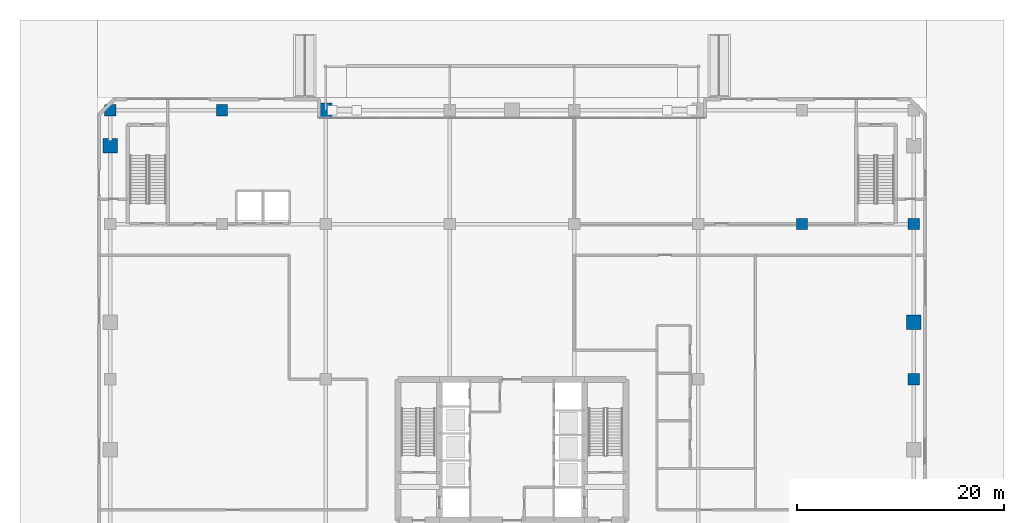
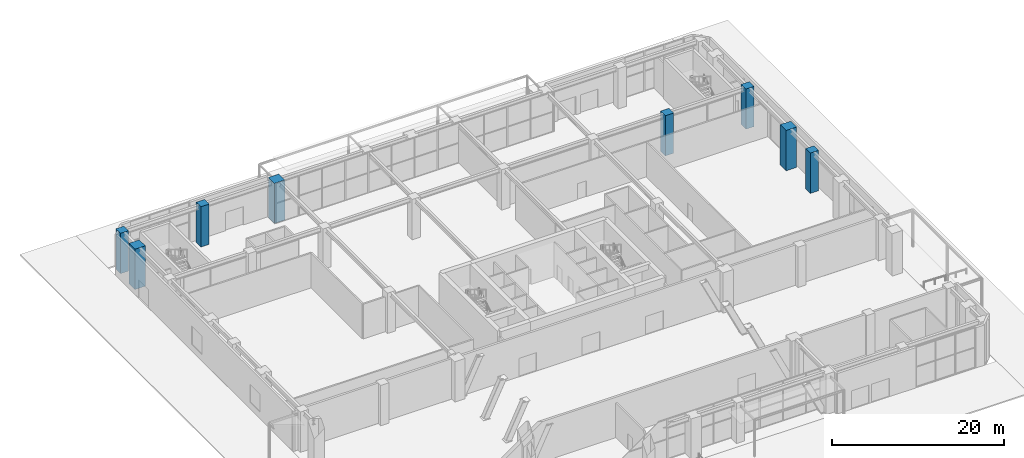
# One storey, part 7 of 49: 8 columns.
"""IFC4 building model written with IfcOpenShell, lengths in metres."""

import ifcopenshell
import ifcopenshell.guid

model = None  # the IFC model being written
_history = None  # IfcOwnerHistory: only IFC2X3 demands one
_inside = {}  # id of a spatial element -> (the spatial element, [elements in it])
_under = {}  # id of a project, library or spatial element -> (it, [spatial elements below it])
_declared = {}  # id of a project -> (the project, [libraries it declares])
_typed = {}  # id of a type object -> (the type object, [elements of that type])
_made_of = {}  # id of a material, layer set ... -> (it, [elements and type objects made of it])


def new_model(schema):
    """Start an empty IFC model of exactly this schema.

    Asked for "IFC4X3", IfcOpenShell would pick the latest addendum, in which some entities
    have other attributes; the version numbers below select the first issue.
    IFC2X3 requires an IfcOwnerHistory on every rooted entity: one is made here for all.
    """
    global model, _history
    if schema == "IFC4X3":
        model = ifcopenshell.file(schema_version=(4, 3, 0, 0))
    else:
        model = ifcopenshell.file(schema=schema)
    _inside.clear()
    _under.clear()
    _declared.clear()
    _typed.clear()
    _made_of.clear()
    _history = None
    if model.schema == "IFC2X3":
        org = make("IfcOrganization", Name="unknown")
        user = make(
            "IfcPersonAndOrganization",
            ThePerson=make("IfcPerson", FamilyName="unknown"),
            TheOrganization=org,
        )
        app = make(
            "IfcApplication",
            ApplicationDeveloper=org,
            Version="unknown",
            ApplicationFullName="unknown",
            ApplicationIdentifier="unknown",
        )
        _history = make(
            "IfcOwnerHistory",
            OwningUser=user,
            OwningApplication=app,
            ChangeAction="ADDED",
            CreationDate=0,
        )
    return model


def make(cls, **values):
    """One entity of the class cls with the attributes given. An attribute that is None is left unset."""
    return model.create_entity(
        cls, **{name: value for name, value in values.items() if value is not None}
    )


def rooted(cls, **values):
    """An entity with a GlobalId (a new one), such as an element, a storey or a relation."""
    return make(cls, GlobalId=ifcopenshell.guid.new(), OwnerHistory=_history, **values)


def si_unit(unit_type, name, prefix=None):
    """IfcSIUnit, for example si_unit("LENGTHUNIT", "METRE", prefix="MILLI")."""
    return make("IfcSIUnit", UnitType=unit_type, Prefix=prefix, Name=name)


def assignment(units):
    """IfcUnitAssignment: the units of a project."""
    return None if units is None else make("IfcUnitAssignment", Units=units)


def point(xyz):
    """IfcCartesianPoint."""
    return None if xyz is None else make("IfcCartesianPoint", Coordinates=xyz)


def direction(xyz):
    """IfcDirection."""
    return None if xyz is None else make("IfcDirection", DirectionRatios=xyz)


def frame(location, z_axis=None, x_axis=None):
    """IfcAxis2Placement3D, a coordinate frame: its origin and axes. An axis left out is left unset."""
    return make(
        "IfcAxis2Placement3D",
        Location=point(location),
        Axis=direction(z_axis),
        RefDirection=direction(x_axis),
    )


def frame_2d(location, x_axis=None):
    """IfcAxis2Placement2D, a coordinate frame in the plane: its origin and x axis."""
    return make(
        "IfcAxis2Placement2D", Location=point(location), RefDirection=direction(x_axis)
    )


def origin():
    """The frame at (0, 0, 0) with its axes left unset."""
    return frame((0.0, 0.0, 0.0))


def origin_2d():
    """The frame at (0, 0) in the plane with its x axis left unset."""
    return frame_2d((0.0, 0.0))


def place(relative_to, where):
    """IfcLocalPlacement: puts the frame where relative to a parent placement (None: the world)."""
    return make(
        "IfcLocalPlacement", PlacementRelTo=relative_to, RelativePlacement=where
    )


def context(
    kind, dimensions, precision=None, world=None, true_north=None, identifier=None
):
    """IfcGeometricRepresentationContext, for example the 3D "Model" context."""
    return make(
        "IfcGeometricRepresentationContext",
        ContextIdentifier=identifier,
        ContextType=kind,
        CoordinateSpaceDimension=dimensions,
        Precision=precision,
        WorldCoordinateSystem=world,
        TrueNorth=true_north,
    )


def subcontext(parent, identifier, kind, view, scale=None):
    """IfcGeometricRepresentationSubContext, for example "Body" below "Model"."""
    return make(
        "IfcGeometricRepresentationSubContext",
        ContextIdentifier=identifier,
        ContextType=kind,
        ParentContext=parent,
        TargetScale=scale,
        TargetView=view,
    )


def project(units=None, contexts=None):
    """IfcProject with its units and contexts."""
    return rooted(
        "IfcProject",
        Name="project",
        RepresentationContexts=contexts,
        UnitsInContext=assignment(units),
    )


def spatial(cls, under=None, at=None, **own):
    """A site, building, storey or space (cls), placed at a placement, below another one or the project."""
    s = rooted(cls, ObjectPlacement=at, **own)
    if under is not None:
        _under.setdefault(under.id(), (under, []))[1].append(s)
    return s


def profile(cls, at=None, kind="AREA", **sizes):
    """A parametric profile (cls). Its sizes go by their IFC names, for example OverallWidth=200.0."""
    return make(cls, ProfileType=kind, Position=at, **sizes)


def rectangle(**sizes):
    """IfcRectangleProfileDef."""
    return profile("IfcRectangleProfileDef", **sizes)


def extrude(swept, where, along, depth):
    """IfcExtrudedAreaSolid: the profile swept, set in the frame where, extruded along a direction by depth."""
    return make(
        "IfcExtrudedAreaSolid",
        SweptArea=swept,
        Position=where,
        ExtrudedDirection=direction(along),
        Depth=depth,
    )


def shape(context_of_items, identifier, shape_type, items):
    """IfcShapeRepresentation: the items that make up one representation, for example the "Body"."""
    return make(
        "IfcShapeRepresentation",
        ContextOfItems=context_of_items,
        RepresentationIdentifier=identifier,
        RepresentationType=shape_type,
        Items=items,
    )


def material(Name=None, Category=None):
    """IfcMaterial."""
    return make("IfcMaterial", Name=Name, Category=Category)


def material_profile(
    of_material, cross_section, Name=None, Category=None, Priority=None
):
    """IfcMaterialProfile: a cross section and its material."""
    return make(
        "IfcMaterialProfile",
        Name=Name,
        Material=of_material,
        Profile=cross_section,
        Priority=Priority,
        Category=Category,
    )


def profile_set(profiles, Name=None, composite=None):
    """IfcMaterialProfileSet."""
    return make(
        "IfcMaterialProfileSet",
        Name=Name,
        MaterialProfiles=profiles,
        CompositeProfile=composite,
    )


def made_of(thing, what):
    """Note that an element or type object is made of a material, layer set ...; save() writes the relation."""
    if what is not None:
        _made_of.setdefault(what.id(), (what, []))[1].append(thing)
    return thing


def type_object(cls, material=None, **own):
    """A type object (cls), such as IfcWallType, which elements share."""
    return made_of(rooted(cls, **own), material)


def element(
    cls,
    number,
    at=None,
    inside=None,
    cuts=None,
    type_object=None,
    material=None,
    context=None,
    identifier="Body",
    shape_type=None,
    held_by="IfcProductDefinitionShape",
    body=None,
    shapes=None,
    **own,
):
    """One element of the class cls, such as IfcWall. Its Tag is "e" and its number.

    at: its placement. inside: the storey or other place that contains it. cuts: it is an
    opening in that element (IfcRelVoidsElement). A single representation is given by context,
    identifier, shape_type and body (its items); several are given by shapes. held_by: the class
    of the entity that holds the representations. save() writes the other relations.
    """
    e = rooted(cls, Tag="e%d" % number, ObjectPlacement=at, **own)
    if body is not None:
        shapes = [shape(context, identifier, shape_type, body)]
    if shapes is not None:
        e.Representation = make(held_by, Representations=shapes)
    if inside is not None:
        _inside.setdefault(inside.id(), (inside, []))[1].append(e)
    if cuts is not None:
        rooted(
            "IfcRelVoidsElement", RelatingBuildingElement=cuts, RelatedOpeningElement=e
        )
    if type_object is not None:
        _typed.setdefault(type_object.id(), (type_object, []))[1].append(e)
    return made_of(e, material)


def aggregate(whole, parts):
    """IfcRelAggregates: a whole, such as a stair, and the parts it consists of."""
    return rooted("IfcRelAggregates", RelatingObject=whole, RelatedObjects=parts)


def save(model, path):
    """Write the relations noted so far, then the file.

    IfcRelAggregates (storeys below a building ...), IfcRelContainedInSpatialStructure (elements
    in a storey), IfcRelDefinesByType, IfcRelAssociatesMaterial and IfcRelDeclares: one each for
    every whole, place, type object, material and project.
    """
    for whole, parts in _under.values():
        aggregate(whole, parts)
    for where, things in _inside.values():
        rooted(
            "IfcRelContainedInSpatialStructure",
            RelatedElements=things,
            RelatingStructure=where,
        )
    for kind, things in _typed.values():
        rooted("IfcRelDefinesByType", RelatedObjects=things, RelatingType=kind)
    for what, things in _made_of.values():
        rooted("IfcRelAssociatesMaterial", RelatedObjects=things, RelatingMaterial=what)
    for by, libraries in _declared.values():
        rooted("IfcRelDeclares", RelatingContext=by, RelatedDefinitions=libraries)
    model.write(path)


model = new_model("IFC4")

# Units and contexts
model_context = context("Model", 3, precision=1e-05, world=origin(), true_north=direction((0.0, 1.0)))
body_context = subcontext(model_context, "Body", "Model", "MODEL_VIEW")
ifc_project = project(units=[si_unit("LENGTHUNIT", "METRE"), si_unit("AREAUNIT", "SQUARE_METRE"), si_unit("VOLUMEUNIT", "CUBIC_METRE"), si_unit("PLANEANGLEUNIT", "RADIAN"), si_unit("MASSUNIT", "GRAM", prefix="KILO")], contexts=[model_context])

# Site, building, storey
site_placement = place(None, origin())
site = spatial("IfcSite", under=ifc_project, at=site_placement, CompositionType="ELEMENT")
building_placement = place(site_placement, origin())
building = spatial("IfcBuilding", under=site, at=building_placement, Name="Sarneth Arch Tower", CompositionType="ELEMENT")
storey_placement = place(building_placement, origin())
storey = spatial("IfcBuildingStorey", under=building, at=storey_placement, Name="L00", CompositionType="ELEMENT", Elevation=0.0)

# Columns
ifc_material_1 = material(Name="Concrete C60/75", Category="concrete")
ifc_material_profile_1 = material_profile(ifc_material_1, rectangle(XDim=1.10009765625, YDim=1.10009765625, at=origin_2d()), Name="RC-1100x1100")
ifc_profile_set_1 = profile_set([ifc_material_profile_1], Name="Concrete C60/75")
column_type_1 = type_object("IfcColumnType", Name="COL-RC-1100", PredefinedType="COLUMN", material=ifc_profile_set_1)
for number, where, z_axis, x_axis, name in (
    (1, (9.199951171875, 74.800048828125, 0.0), (0.0, 0.0, 1.0), (1.0, 0.0, 0.0), "L00 Podium column PN01"),
    (2, (20.0, 74.800048828125, 0.0), (0.0, 0.0, 1.0), (1.0, 0.0, 0.0), "L00 Podium column PN02"),
    (3, (76.0, 63.800048828125, 0.0), (0.0, 0.0, 1.0), (1.0, 0.0, 0.0), "L00 Podium column PC07"),
    (4, (86.800048828125, 63.800048828125, 0.0), (0.0, 0.0, 1.0), (1.0, 0.0, 0.0), "L00 Podium column PC08"),
    (5, (86.800048828125, 48.800048828125, 0.0), (0.0, 0.0, 1.0), (1.0, 0.0, 0.0), "L00 Podium column PE03"),
):
    element("IfcColumn", number, at=place(storey_placement, frame(where, z_axis=z_axis, x_axis=x_axis)), inside=storey, type_object=column_type_1, Name=name, PredefinedType="COLUMN", context=body_context, shape_type="SweptSolid", body=[
        extrude(rectangle(XDim=1.10009765625, YDim=1.10009765625, at=origin_2d()), origin(), (0.0, 0.0, 1.0), 5.719970703125),
    ])
ifc_material_2 = material(Name="Concrete C60/75", Category="concrete")
ifc_material_profile_2 = material_profile(ifc_material_2, rectangle(XDim=1.39990234375, YDim=1.39990234375, at=origin_2d()), Name="RC-1400x1400")
ifc_profile_set_2 = profile_set([ifc_material_profile_2], Name="Concrete C60/75")
column_type_2 = type_object("IfcColumnType", Name="COL-RC-1400", PredefinedType="COLUMN", material=ifc_profile_set_2)
for number, where, z_axis, x_axis, name in (
    (6, (86.800048828125, 54.31787109375, 0.0), (0.0, 0.0, 1.0), (1.0, 0.0, 0.0), "L00 Podium column PX02"),
    (7, (29.91552734375, 74.800048828125, 0.0), (0.0, 0.0, 1.0), (1.0, 0.0, 0.0), "L00 Podium column PX06"),
    (8, (9.199951171875, 71.336669921875, 0.0), (0.0, 0.0, 1.0), (1.0, 0.0, 0.0), "L00 Podium column PX07"),
):
    element("IfcColumn", number, at=place(storey_placement, frame(where, z_axis=z_axis, x_axis=x_axis)), inside=storey, type_object=column_type_2, Name=name, PredefinedType="COLUMN", context=body_context, shape_type="SweptSolid", body=[
        extrude(rectangle(XDim=1.39990234375, YDim=1.39990234375, at=origin_2d()), origin(), (0.0, 0.0, 1.0), 5.719970703125),
    ])

save(model, "model.ifc")
